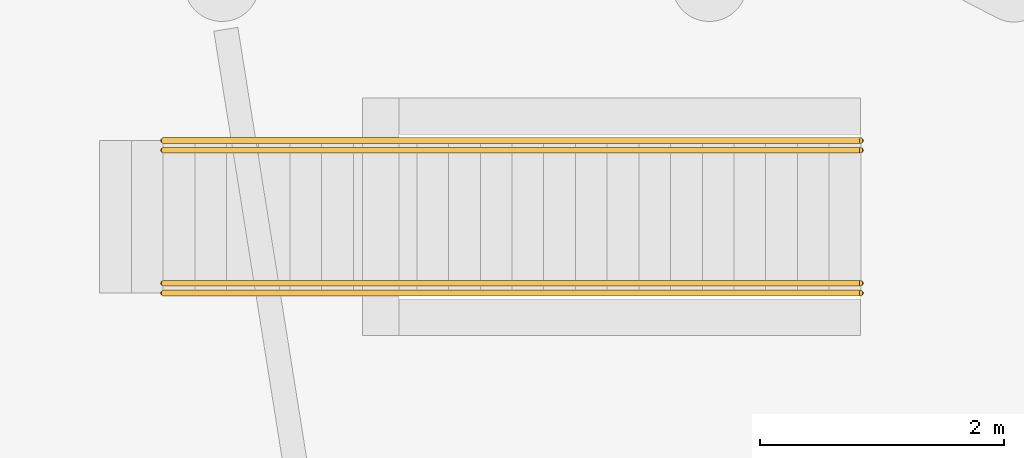
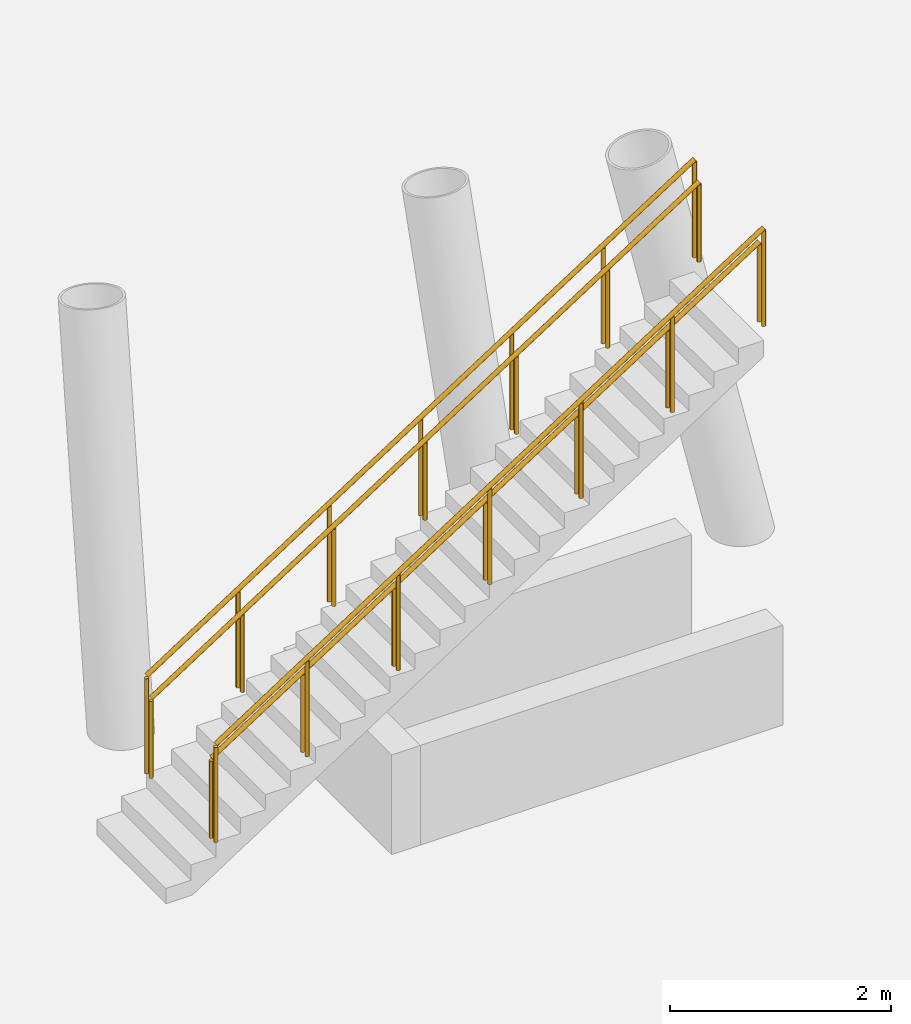
# One storey, part 5 of 5: 4 railings.
"""IFC4 building model written with IfcOpenShell, lengths in metres."""

from ifc_helpers import new_model, si_unit, direction, frame, origin, origin_2d, place, context, subcontext, project, spatial, circle, extrude, material, type_object, element, save


model = new_model("IFC4")

# Units and contexts
model_context = context("Model", 3, precision=1e-05, world=origin(), true_north=direction((0.0, 1.0)))
body_context = subcontext(model_context, "Body", "Model", "MODEL_VIEW")
ifc_project = project(units=[si_unit("LENGTHUNIT", "METRE"), si_unit("AREAUNIT", "SQUARE_METRE"), si_unit("VOLUMEUNIT", "CUBIC_METRE"), si_unit("PLANEANGLEUNIT", "RADIAN"), si_unit("MASSUNIT", "GRAM", prefix="KILO")], contexts=[model_context])

# Site, building, storey
site_placement = place(None, origin())
site = spatial("IfcSite", under=ifc_project, at=site_placement, CompositionType="ELEMENT")
building_placement = place(site_placement, origin())
building = spatial("IfcBuilding", under=site, at=building_placement, Name="Rubra Terraces Tower", CompositionType="ELEMENT")
storey_placement = place(building_placement, frame((0.0, 0.0, 320.39990234375)))
storey = spatial("IfcBuildingStorey", under=building, at=storey_placement, Name="L79", CompositionType="ELEMENT", Elevation=320.39990234375)

# Railings
ifc_material = material(Name="Stainless steel", Category="steel")
railing_type_1 = type_object("IfcRailingType", Name="Core stair guard 1100", PredefinedType="GUARDRAIL", material=ifc_material)
for number, where, name in (
    (1, (-2.47998046875, -5.125, 0.504150390625), "L79 stair S5 guard 1"),
    (2, (-2.47998046875, -3.875, 0.504150390625), "L79 stair S5 guard 2"),
):
    element("IfcRailing", number, at=place(storey_placement, frame(where)), inside=storey, type_object=railing_type_1, Name=name, PredefinedType="GUARDRAIL", context=body_context, shape_type="SweptSolid", body=[
        extrude(circle(Radius=0.02392578125, at=origin_2d()), frame((0.0, 0.0, 1.076171875), z_axis=(0.839912394573, 0.0, 0.542722000147), x_axis=(0.0, 1.0, 0.0)), (0.0, 0.0, 1.0), 6.810302734375),
        extrude(circle(Radius=0.02099609375, at=origin_2d()), origin(), (0.0, 0.0, 1.0), 1.052001953125),
        extrude(circle(Radius=0.02099609375, at=origin_2d()), frame((0.953369140625, 0.0, 0.615966796875)), (0.0, 0.0, 1.0), 1.052001953125),
        extrude(circle(Radius=0.02099609375, at=origin_2d()), frame((1.90673828125, 0.0, 1.23193359375)), (0.0, 0.0, 1.0), 1.052001953125),
        extrude(circle(Radius=0.02099609375, at=origin_2d()), frame((2.85986328125, 0.0, 1.84814453125)), (0.0, 0.0, 1.0), 1.052001953125),
        extrude(circle(Radius=0.02099609375, at=origin_2d()), frame((3.813232421875, 0.0, 2.464111328125)), (0.0, 0.0, 1.0), 1.052001953125),
        extrude(circle(Radius=0.02099609375, at=origin_2d()), frame((4.7666015625, 0.0, 3.080078125)), (0.0, 0.0, 1.0), 1.052001953125),
        extrude(circle(Radius=0.02099609375, at=origin_2d()), frame((5.719970703125, 0.0, 3.696044921875)), (0.0, 0.0, 1.0), 1.052001953125),
    ])
railing_type_2 = type_object("IfcRailingType", Name="Core stair handrail 900", PredefinedType="HANDRAIL", material=ifc_material)
for number, where, name in (
    (3, (-2.47998046875, -5.044921875, 0.504150390625), "L79 stair S5 handrail 1"),
    (4, (-2.47998046875, -3.955078125, 0.504150390625), "L79 stair S5 handrail 2"),
):
    element("IfcRailing", number, at=place(storey_placement, frame(where)), inside=storey, type_object=railing_type_2, Name=name, PredefinedType="HANDRAIL", context=body_context, shape_type="SweptSolid", body=[
        extrude(circle(Radius=0.02392578125, at=origin_2d()), frame((0.0, 0.0, 0.8759765625), z_axis=(0.839912394573, 0.0, 0.542722000147), x_axis=(0.0, 1.0, 0.0)), (0.0, 0.0, 1.0), 6.810302734375),
        extrude(circle(Radius=0.02099609375, at=origin_2d()), origin(), (0.0, 0.0, 1.0), 0.851806640625),
        extrude(circle(Radius=0.02099609375, at=origin_2d()), frame((0.953369140625, 0.0, 0.615966796875)), (0.0, 0.0, 1.0), 0.851806640625),
        extrude(circle(Radius=0.02099609375, at=origin_2d()), frame((1.90673828125, 0.0, 1.23193359375)), (0.0, 0.0, 1.0), 0.851806640625),
        extrude(circle(Radius=0.02099609375, at=origin_2d()), frame((2.85986328125, 0.0, 1.84814453125)), (0.0, 0.0, 1.0), 0.851806640625),
        extrude(circle(Radius=0.02099609375, at=origin_2d()), frame((3.813232421875, 0.0, 2.464111328125)), (0.0, 0.0, 1.0), 0.851806640625),
        extrude(circle(Radius=0.02099609375, at=origin_2d()), frame((4.7666015625, 0.0, 3.080078125)), (0.0, 0.0, 1.0), 0.851806640625),
        extrude(circle(Radius=0.02099609375, at=origin_2d()), frame((5.719970703125, 0.0, 3.696044921875)), (0.0, 0.0, 1.0), 0.851806640625),
    ])

save(model, "model.ifc")
